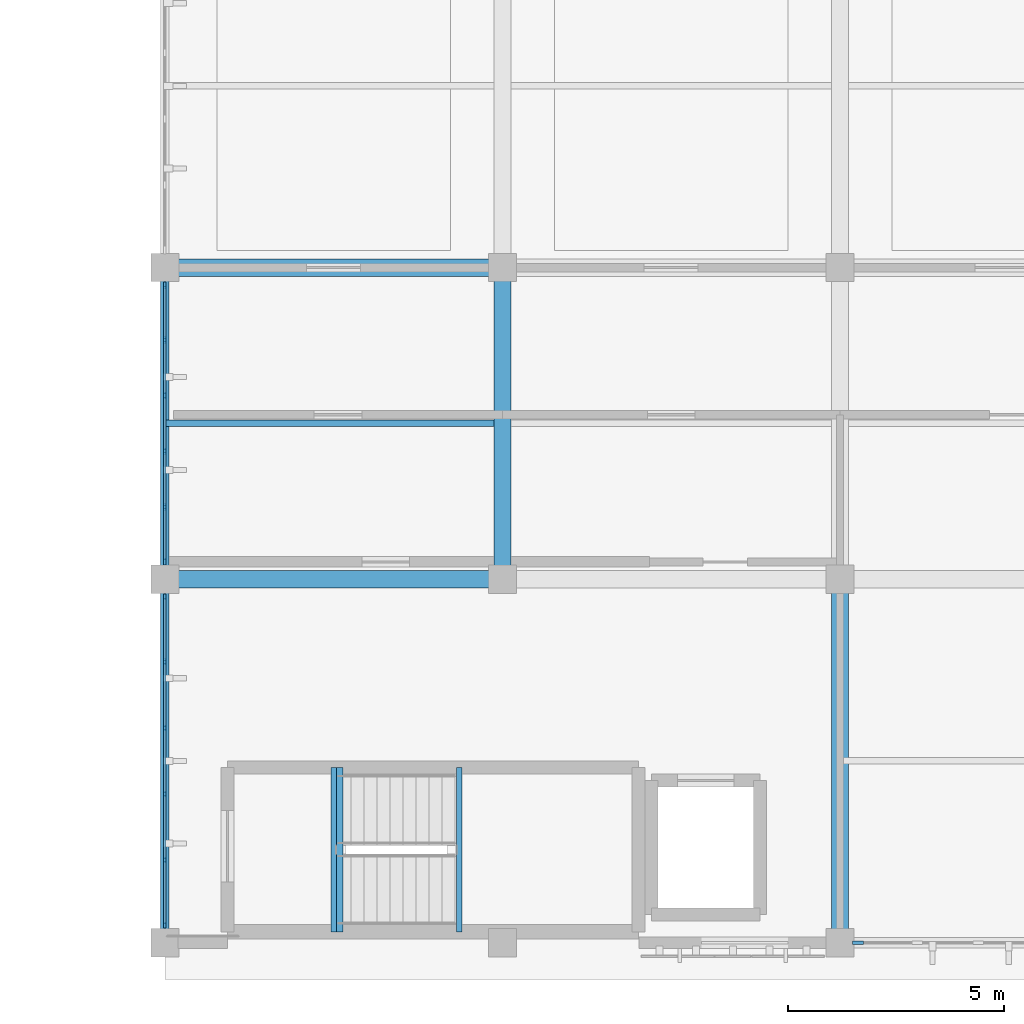
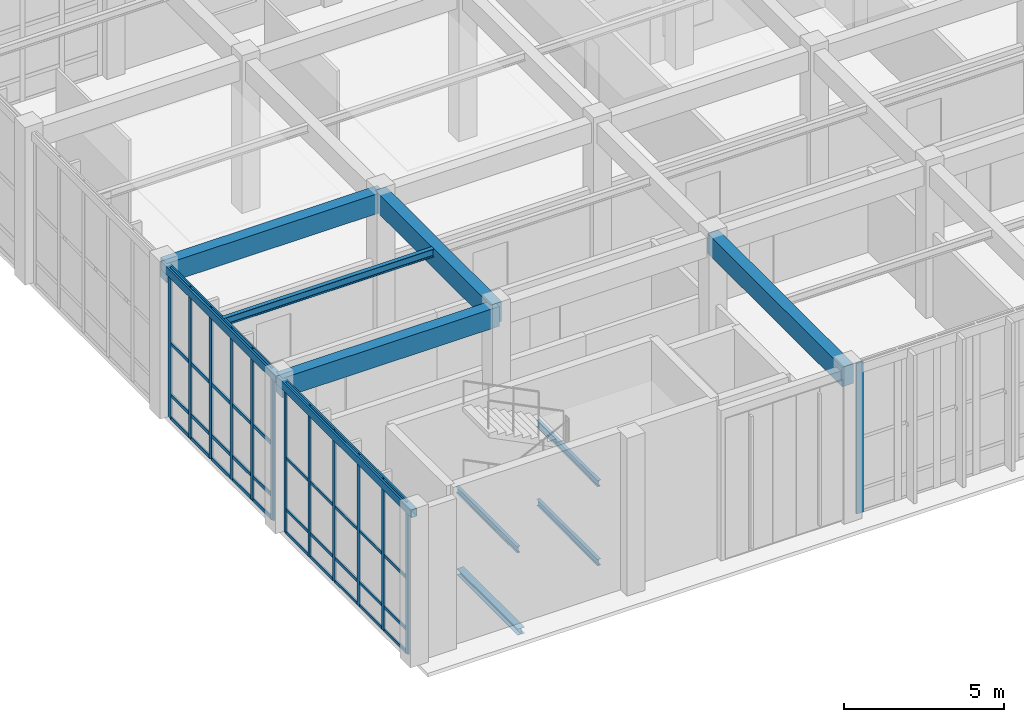
# One storey, part 10 of 105: 53 members, 11 beams, 3 elements without a shape of their own.
"""IFC4 building model written with IfcOpenShell, lengths in metres."""

from ifc_helpers import new_model, si_unit, direction, frame, origin, origin_2d, place, context, subcontext, project, spatial, rectangle, hollow_rectangle, i_section, extrude, material, material_profile, profile_set, type_object, element, aggregate, save


model = new_model("IFC4")

# Units and contexts
model_context = context("Model", 3, precision=1e-05, world=origin(), true_north=direction((0.0, 1.0)))
body_context = subcontext(model_context, "Body", "Model", "MODEL_VIEW")
ifc_project = project(units=[si_unit("LENGTHUNIT", "METRE"), si_unit("AREAUNIT", "SQUARE_METRE"), si_unit("VOLUMEUNIT", "CUBIC_METRE"), si_unit("PLANEANGLEUNIT", "RADIAN"), si_unit("MASSUNIT", "GRAM", prefix="KILO")], contexts=[model_context])

# Site, building, storey
site_placement = place(None, origin())
site = spatial("IfcSite", under=ifc_project, at=site_placement, CompositionType="ELEMENT")
building_placement = place(site_placement, origin())
building = spatial("IfcBuilding", under=site, at=building_placement, Name="Tizgana Railside Sports Hall", CompositionType="ELEMENT")
storey_placement = place(building_placement, frame((0.0, 0.0, 6.0)))
storey = spatial("IfcBuildingStorey", under=building, at=storey_placement, Name="L01", CompositionType="ELEMENT", Elevation=6.0)

# Beams
ifc_material_1 = material(Name="Concrete C35/45", Category="concrete")
ifc_material_profile_1 = material_profile(ifc_material_1, rectangle(XDim=0.39990234375, YDim=0.75, at=origin_2d()), Name="RCB 400x750")
ifc_profile_set_1 = profile_set([ifc_material_profile_1], Name="Concrete C35/45")
beam_type_1 = type_object("IfcBeamType", Name="Concrete Beam RCB 400x750", PredefinedType="BEAM", material=ifc_profile_set_1)
beam_1_placement = place(storey_placement, frame((15.60009765625, 8.39990234375, 5.361083984375), z_axis=(0.0, 1.0, 0.0), x_axis=(-1.0, 0.0, 0.0)))
element("IfcBeam", 1, at=beam_1_placement, inside=storey, type_object=beam_type_1, Name="L01 BEM-0469", PredefinedType="BEAM", context=body_context, shape_type="SweptSolid", body=[
    extrude(rectangle(XDim=0.39990234375, YDim=0.75, at=origin_2d()), origin(), (0.0, 0.0, 1.0), 7.2001953125),
])
beam_2_placement = place(storey_placement, frame((23.39990234375, 0.0, 5.361083984375), z_axis=(0.0, 1.0, 0.0), x_axis=(-1.0, 0.0, 0.0)))
element("IfcBeam", 2, at=beam_2_placement, inside=storey, type_object=beam_type_1, Name="L01 BEM-0472", PredefinedType="BEAM", context=body_context, shape_type="SweptSolid", body=[
    extrude(rectangle(XDim=0.39990234375, YDim=0.75, at=origin_2d()), origin(), (0.0, 0.0, 1.0), 8.39990234375),
])
for number, where, z_axis, x_axis, name in (
    (3, (7.800048828125, 8.39990234375, 5.361083984375), (1.0, 0.0, 0.0), (0.0, 1.0, 0.0), "L01 BEM-0510"),
    (4, (7.800048828125, 15.60009765625, 5.361083984375), (1.0, 0.0, 0.0), (0.0, 1.0, 0.0), "L01 BEM-0511"),
):
    element("IfcBeam", number, at=place(storey_placement, frame(where, z_axis=z_axis, x_axis=x_axis)), inside=storey, type_object=beam_type_1, Name=name, PredefinedType="BEAM", context=body_context, shape_type="SweptSolid", body=[
        extrude(rectangle(XDim=0.39990234375, YDim=0.75, at=origin_2d()), origin(), (0.0, 0.0, 1.0), 7.800048828125),
    ])

# Curtain wall, members
ifc_material_2 = material(Name="Anodised aluminium and glass", Category="aluminium")
curtain_wall_type_1 = type_object("IfcCurtainWallType", Name="Unitised Curtain Wall Concourse 1500", PredefinedType="NOTDEFINED", material=ifc_material_2)
curtain_wall_1_placement = place(storey_placement, origin())
curtain_wall_1 = element("IfcCurtainWall", 5, at=curtain_wall_1_placement, inside=storey, type_object=curtain_wall_type_1, Name="L01 Curtain Wall CW-0096", PredefinedType="NOTDEFINED")
ifc_material_3 = material(Name="Anodised aluminium", Category="aluminium")
ifc_material_profile_2 = material_profile(ifc_material_3, rectangle(XDim=0.06005859375, YDim=0.139892578125, at=origin_2d()), Name="Mullion 60x140")
ifc_profile_set_2 = profile_set([ifc_material_profile_2], Name="Anodised aluminium")
member_type_1 = type_object("IfcMemberType", Name="Mullion 60x140", PredefinedType="MULLION", material=ifc_profile_set_2)
member_1_placement = place(storey_placement, frame((7.800048828125, 7.989990234375, 0.0), z_axis=(0.0, 0.0, 1.0), x_axis=(1.0, 0.0, 0.0)))
member_1 = element("IfcMember", 6, at=member_1_placement, type_object=member_type_1, Name="CW-01 mullion 1", PredefinedType="MULLION", context=body_context, shape_type="SweptSolid", body=[
    extrude(rectangle(XDim=0.06005859375, YDim=0.139892578125, at=origin_2d()), origin(), (0.0, 0.0, 1.0), 5.719970703125),
])
member_2_placement = place(storey_placement, frame((7.800048828125, 6.491943359375, 0.0), z_axis=(0.0, 0.0, 1.0), x_axis=(1.0, 0.0, 0.0)))
member_2 = element("IfcMember", 7, at=member_2_placement, type_object=member_type_1, Name="CW-01 mullion 2", PredefinedType="MULLION", context=body_context, shape_type="SweptSolid", body=[
    extrude(rectangle(XDim=0.06005859375, YDim=0.139892578125, at=origin_2d()), origin(), (0.0, 0.0, 1.0), 5.719970703125),
])
member_3_placement = place(storey_placement, frame((7.800048828125, 4.964111328125, 0.0), z_axis=(0.0, 0.0, 1.0), x_axis=(1.0, 0.0, 0.0)))
member_3 = element("IfcMember", 8, at=member_3_placement, type_object=member_type_1, Name="CW-01 mullion 3", PredefinedType="MULLION", context=body_context, shape_type="SweptSolid", body=[
    extrude(rectangle(XDim=0.06005859375, YDim=0.139892578125, at=origin_2d()), origin(), (0.0, 0.0, 1.0), 5.719970703125),
])
member_4_placement = place(storey_placement, frame((7.800048828125, 3.43603515625, 0.0), z_axis=(0.0, 0.0, 1.0), x_axis=(1.0, 0.0, 0.0)))
member_4 = element("IfcMember", 9, at=member_4_placement, type_object=member_type_1, Name="CW-01 mullion 4", PredefinedType="MULLION", context=body_context, shape_type="SweptSolid", body=[
    extrude(rectangle(XDim=0.06005859375, YDim=0.139892578125, at=origin_2d()), origin(), (0.0, 0.0, 1.0), 5.719970703125),
])
member_5_placement = place(storey_placement, frame((7.800048828125, 1.907958984375, 0.0), z_axis=(0.0, 0.0, 1.0), x_axis=(1.0, 0.0, 0.0)))
member_5 = element("IfcMember", 10, at=member_5_placement, type_object=member_type_1, Name="CW-01 mullion 5", PredefinedType="MULLION", context=body_context, shape_type="SweptSolid", body=[
    extrude(rectangle(XDim=0.06005859375, YDim=0.139892578125, at=origin_2d()), origin(), (0.0, 0.0, 1.0), 5.719970703125),
])
member_6_placement = place(storey_placement, frame((7.800048828125, 0.409912109375, 0.0), z_axis=(0.0, 0.0, 1.0), x_axis=(1.0, 0.0, 0.0)))
member_6 = element("IfcMember", 11, at=member_6_placement, type_object=member_type_1, Name="CW-01 mullion 6", PredefinedType="MULLION", context=body_context, shape_type="SweptSolid", body=[
    extrude(rectangle(XDim=0.06005859375, YDim=0.139892578125, at=origin_2d()), origin(), (0.0, 0.0, 1.0), 5.719970703125),
])

curtain_wall_type_2 = type_object("IfcCurtainWallType", Name="Unitised Curtain Wall Foyer 1300", PredefinedType="NOTDEFINED", material=ifc_material_2)
curtain_wall_2_placement = place(storey_placement, origin())
curtain_wall_2 = element("IfcCurtainWall", 12, at=curtain_wall_2_placement, inside=storey, type_object=curtain_wall_type_2, Name="L01 Curtain Wall CW-0097", PredefinedType="NOTDEFINED")
ifc_material_profile_3 = material_profile(ifc_material_3, rectangle(XDim=0.06005859375, YDim=0.159912109375, at=origin_2d()), Name="Mullion 60x160")
ifc_profile_set_3 = profile_set([ifc_material_profile_3], Name="Anodised aluminium")
member_type_2 = type_object("IfcMemberType", Name="Mullion 60x160", PredefinedType="MULLION", material=ifc_profile_set_3)
member_7_placement = place(storey_placement, frame((7.800048828125, 15.18994140625, 0.0), z_axis=(0.0, 0.0, 1.0), x_axis=(1.0, 0.0, 0.0)))
member_7 = element("IfcMember", 13, at=member_7_placement, type_object=member_type_2, Name="CW-02 mullion 1", PredefinedType="MULLION", context=body_context, shape_type="SweptSolid", body=[
    extrude(rectangle(XDim=0.06005859375, YDim=0.159912109375, at=origin_2d()), origin(), (0.0, 0.0, 1.0), 5.719970703125),
])
member_8_placement = place(storey_placement, frame((7.800048828125, 13.931884765625, 0.0), z_axis=(0.0, 0.0, 1.0), x_axis=(1.0, 0.0, 0.0)))
member_8 = element("IfcMember", 14, at=member_8_placement, type_object=member_type_2, Name="CW-02 mullion 2", PredefinedType="MULLION", context=body_context, shape_type="SweptSolid", body=[
    extrude(rectangle(XDim=0.06005859375, YDim=0.159912109375, at=origin_2d()), origin(), (0.0, 0.0, 1.0), 5.719970703125),
])
member_9_placement = place(storey_placement, frame((7.800048828125, 12.64404296875, 0.0), z_axis=(0.0, 0.0, 1.0), x_axis=(1.0, 0.0, 0.0)))
member_9 = element("IfcMember", 15, at=member_9_placement, type_object=member_type_2, Name="CW-02 mullion 3", PredefinedType="MULLION", context=body_context, shape_type="SweptSolid", body=[
    extrude(rectangle(XDim=0.06005859375, YDim=0.159912109375, at=origin_2d()), origin(), (0.0, 0.0, 1.0), 5.719970703125),
])
member_10_placement = place(storey_placement, frame((7.800048828125, 11.35595703125, 0.0), z_axis=(0.0, 0.0, 1.0), x_axis=(1.0, 0.0, 0.0)))
member_10 = element("IfcMember", 16, at=member_10_placement, type_object=member_type_2, Name="CW-02 mullion 4", PredefinedType="MULLION", context=body_context, shape_type="SweptSolid", body=[
    extrude(rectangle(XDim=0.06005859375, YDim=0.159912109375, at=origin_2d()), origin(), (0.0, 0.0, 1.0), 5.719970703125),
])
member_11_placement = place(storey_placement, frame((7.800048828125, 10.068115234375, 0.0), z_axis=(0.0, 0.0, 1.0), x_axis=(1.0, 0.0, 0.0)))
member_11 = element("IfcMember", 17, at=member_11_placement, type_object=member_type_2, Name="CW-02 mullion 5", PredefinedType="MULLION", context=body_context, shape_type="SweptSolid", body=[
    extrude(rectangle(XDim=0.06005859375, YDim=0.159912109375, at=origin_2d()), origin(), (0.0, 0.0, 1.0), 5.719970703125),
])
member_12_placement = place(storey_placement, frame((7.800048828125, 8.81005859375, 0.0), z_axis=(0.0, 0.0, 1.0), x_axis=(1.0, 0.0, 0.0)))
member_12 = element("IfcMember", 18, at=member_12_placement, type_object=member_type_2, Name="CW-02 mullion 6", PredefinedType="MULLION", context=body_context, shape_type="SweptSolid", body=[
    extrude(rectangle(XDim=0.06005859375, YDim=0.159912109375, at=origin_2d()), origin(), (0.0, 0.0, 1.0), 5.719970703125),
])

# Curtain wall, member
curtain_wall_3_placement = place(storey_placement, origin())
curtain_wall_3 = element("IfcCurtainWall", 19, at=curtain_wall_3_placement, inside=storey, type_object=curtain_wall_type_2, Name="L01 Curtain Wall CW-0089", PredefinedType="NOTDEFINED")
ifc_material_profile_4 = material_profile(ifc_material_3, rectangle(XDim=0.074951171875, YDim=0.25, at=origin_2d()), Name="Mullion 75x250")
ifc_profile_set_4 = profile_set([ifc_material_profile_4], Name="Anodised aluminium")
member_type_3 = type_object("IfcMemberType", Name="Mullion 75x250", PredefinedType="MULLION", material=ifc_profile_set_4)
member_13_placement = place(storey_placement, frame((23.8173828125, 0.0, 0.0), z_axis=(0.0, 0.0, 1.0), x_axis=(0.0, -1.0, 0.0)))
member_13 = element("IfcMember", 20, at=member_13_placement, type_object=member_type_3, Name="CW-02 mullion 6", PredefinedType="MULLION", context=body_context, shape_type="SweptSolid", body=[
    extrude(rectangle(XDim=0.074951171875, YDim=0.25, at=origin_2d()), origin(), (0.0, 0.0, 1.0), 5.719970703125),
])
aggregate(curtain_wall_3, [member_13])

# Beams
ifc_material_4 = material(Name="Steel S355J2", Category="steel")
ifc_material_profile_5 = material_profile(ifc_material_4, i_section(OverallWidth=0.1201171875, OverallDepth=0.239990234375, WebThickness=0.006103515625, FlangeThickness=0.009765625, FilletRadius=0.014892578125, at=origin_2d()), Name="IPE 240")
ifc_profile_set_5 = profile_set([ifc_material_profile_5], Name="Steel S355J2")
beam_type_2 = type_object("IfcBeamType", Name="Stair Mid-Landing Header IPE 240", PredefinedType="JOIST", material=ifc_profile_set_5)
for number, where, z_axis, x_axis, name in (
    (21, (14.60009765625, 0.25, 1.177978515625), (0.0, 1.0, 0.0), (-1.0, 0.0, 0.0), "L01 C1 Mid Header 1"),
    (22, (11.699951171875, 0.25, 2.677978515625), (0.0, 1.0, 0.0), (-1.0, 0.0, 0.0), "L01 C1 Mid Header 2"),
    (23, (14.60009765625, 0.25, 4.177978515625), (0.0, 1.0, 0.0), (-1.0, 0.0, 0.0), "L01 C1 Mid Header 3"),
):
    element("IfcBeam", number, at=place(storey_placement, frame(where, z_axis=z_axis, x_axis=x_axis)), inside=storey, type_object=beam_type_2, Name=name, PredefinedType="JOIST", context=body_context, shape_type="SweptSolid", body=[
        extrude(i_section(OverallWidth=0.1201171875, OverallDepth=0.239990234375, WebThickness=0.006103515625, FlangeThickness=0.009765625, FilletRadius=0.014892578125, at=origin_2d()), origin(), (0.0, 0.0, 1.0), 3.800048828125),
    ])
ifc_material_profile_6 = material_profile(ifc_material_4, i_section(OverallWidth=0.239990234375, OverallDepth=0.239990234375, WebThickness=0.010009765625, FlangeThickness=0.01708984375, FilletRadius=0.02099609375, at=origin_2d()), Name="HEB 240")
ifc_profile_set_6 = profile_set([ifc_material_profile_6], Name="Steel S355J2")
beam_type_3 = type_object("IfcBeamType", Name="Steel Beam HEB 240", PredefinedType="BEAM", material=ifc_profile_set_6)
beam_3_placement = place(storey_placement, frame((11.800048828125, 0.25, -0.4619140625), z_axis=(0.0, 1.0, 0.0), x_axis=(-1.0, 0.0, 0.0)))
element("IfcBeam", 24, at=beam_3_placement, inside=storey, type_object=beam_type_3, Name="L01 C1 Landing Header", PredefinedType="BEAM", context=body_context, shape_type="SweptSolid", body=[
    extrude(i_section(OverallWidth=0.239990234375, OverallDepth=0.239990234375, WebThickness=0.010009765625, FlangeThickness=0.01708984375, FilletRadius=0.02099609375, at=origin_2d()), origin(), (0.0, 0.0, 1.0), 3.800048828125),
])
ifc_material_profile_7 = material_profile(ifc_material_4, i_section(OverallWidth=0.14990234375, OverallDepth=0.300048828125, WebThickness=0.007080078125, FlangeThickness=0.0107421875, FilletRadius=0.014892578125, at=origin_2d()), Name="IPE 300")
ifc_profile_set_7 = profile_set([ifc_material_profile_7], Name="Steel S355J2")
beam_type_4 = type_object("IfcBeamType", Name="Steel Joist IPE 300", PredefinedType="JOIST", material=ifc_profile_set_7)
beam_4_placement = place(storey_placement, frame((7.800048828125, 12.0, 5.5859375), z_axis=(1.0, 0.0, 0.0), x_axis=(0.0, 1.0, 0.0)))
element("IfcBeam", 25, at=beam_4_placement, inside=storey, type_object=beam_type_4, Name="L01 BEM-0514", PredefinedType="JOIST", context=body_context, shape_type="SweptSolid", body=[
    extrude(i_section(OverallWidth=0.14990234375, OverallDepth=0.300048828125, WebThickness=0.007080078125, FlangeThickness=0.0107421875, FilletRadius=0.014892578125, at=origin_2d()), origin(), (0.0, 0.0, 1.0), 7.60498046875),
])
ifc_material_profile_8 = material_profile(ifc_material_4, hollow_rectangle(XDim=0.199951171875, YDim=0.300048828125, WallThickness=0.010009765625, at=origin_2d()), Name="RHS 300x200x10")
ifc_profile_set_8 = profile_set([ifc_material_profile_8], Name="Steel S355J2")
beam_type_5 = type_object("IfcBeamType", Name="Steel Spandrel RHS 300x200x10", PredefinedType="SPANDREL", material=ifc_profile_set_8)
beam_5_placement = place(storey_placement, frame((7.800048828125, 0.0, 5.5859375), z_axis=(0.0, 1.0, 0.0), x_axis=(-1.0, 0.0, 0.0)))
element("IfcBeam", 26, at=beam_5_placement, inside=storey, type_object=beam_type_5, Name="L01 BEM-0465", PredefinedType="SPANDREL", context=body_context, shape_type="SweptSolid", body=[
    extrude(hollow_rectangle(XDim=0.199951171875, YDim=0.300048828125, WallThickness=0.010009765625, at=origin_2d()), origin(), (0.0, 0.0, 1.0), 8.39990234375),
])
beam_6_placement = place(storey_placement, frame((7.800048828125, 8.39990234375, 5.5859375), z_axis=(0.0, 1.0, 0.0), x_axis=(-1.0, 0.0, 0.0)))
element("IfcBeam", 27, at=beam_6_placement, inside=storey, type_object=beam_type_5, Name="L01 BEM-0466", PredefinedType="SPANDREL", context=body_context, shape_type="SweptSolid", body=[
    extrude(hollow_rectangle(XDim=0.199951171875, YDim=0.300048828125, WallThickness=0.010009765625, at=origin_2d()), origin(), (0.0, 0.0, 1.0), 7.2001953125),
])

# Member
ifc_material_profile_9 = material_profile(ifc_material_3, rectangle(XDim=0.06005859375, YDim=0.110107421875, at=origin_2d()), Name="Transom 60x110")
ifc_profile_set_9 = profile_set([ifc_material_profile_9], Name="Anodised aluminium")
member_type_4 = type_object("IfcMemberType", Name="Transom 60x110", PredefinedType="USERDEFINED", material=ifc_profile_set_9)
member_14_placement = place(storey_placement, frame((7.800048828125, 7.9599609375, 0.030029296875), z_axis=(0.0, -1.0, 0.0), x_axis=(1.0, 0.0, 0.0)))
member_14 = element("IfcMember", 28, at=member_14_placement, type_object=member_type_4, Name="CW-01 transom 1.1", ObjectType="TRANSOM", PredefinedType="USERDEFINED", context=body_context, shape_type="SweptSolid", body=[
    extrude(rectangle(XDim=0.06005859375, YDim=0.110107421875, at=origin_2d()), origin(), (0.0, 0.0, 1.0), 1.43798828125),
])

member_15_placement = place(storey_placement, frame((7.800048828125, 7.9599609375, 0.89990234375), z_axis=(0.0, -1.0, 0.0), x_axis=(1.0, 0.0, 0.0)))
member_15 = element("IfcMember", 29, at=member_15_placement, type_object=member_type_4, Name="CW-01 transom 1.2", ObjectType="TRANSOM", PredefinedType="USERDEFINED", context=body_context, shape_type="SweptSolid", body=[
    extrude(rectangle(XDim=0.06005859375, YDim=0.110107421875, at=origin_2d()), origin(), (0.0, 0.0, 1.0), 1.43798828125),
])

member_16_placement = place(storey_placement, frame((7.800048828125, 7.9599609375, 2.860107421875), z_axis=(0.0, -1.0, 0.0), x_axis=(1.0, 0.0, 0.0)))
member_16 = element("IfcMember", 30, at=member_16_placement, type_object=member_type_4, Name="CW-01 transom 1.3", ObjectType="TRANSOM", PredefinedType="USERDEFINED", context=body_context, shape_type="SweptSolid", body=[
    extrude(rectangle(XDim=0.06005859375, YDim=0.110107421875, at=origin_2d()), origin(), (0.0, 0.0, 1.0), 1.43798828125),
])

member_17_placement = place(storey_placement, frame((7.800048828125, 7.9599609375, 5.68994140625), z_axis=(0.0, -1.0, 0.0), x_axis=(1.0, 0.0, 0.0)))
member_17 = element("IfcMember", 31, at=member_17_placement, type_object=member_type_4, Name="CW-01 transom 1.4", ObjectType="TRANSOM", PredefinedType="USERDEFINED", context=body_context, shape_type="SweptSolid", body=[
    extrude(rectangle(XDim=0.06005859375, YDim=0.110107421875, at=origin_2d()), origin(), (0.0, 0.0, 1.0), 1.43798828125),
])

member_18_placement = place(storey_placement, frame((7.800048828125, 6.4619140625, 0.030029296875), z_axis=(0.0, -1.0, 0.0), x_axis=(1.0, 0.0, 0.0)))
member_18 = element("IfcMember", 32, at=member_18_placement, type_object=member_type_4, Name="CW-01 transom 2.1", ObjectType="TRANSOM", PredefinedType="USERDEFINED", context=body_context, shape_type="SweptSolid", body=[
    extrude(rectangle(XDim=0.06005859375, YDim=0.110107421875, at=origin_2d()), origin(), (0.0, 0.0, 1.0), 1.468017578125),
])

member_19_placement = place(storey_placement, frame((7.800048828125, 6.4619140625, 0.89990234375), z_axis=(0.0, -1.0, 0.0), x_axis=(1.0, 0.0, 0.0)))
member_19 = element("IfcMember", 33, at=member_19_placement, type_object=member_type_4, Name="CW-01 transom 2.2", ObjectType="TRANSOM", PredefinedType="USERDEFINED", context=body_context, shape_type="SweptSolid", body=[
    extrude(rectangle(XDim=0.06005859375, YDim=0.110107421875, at=origin_2d()), origin(), (0.0, 0.0, 1.0), 1.468017578125),
])

member_20_placement = place(storey_placement, frame((7.800048828125, 6.4619140625, 2.860107421875), z_axis=(0.0, -1.0, 0.0), x_axis=(1.0, 0.0, 0.0)))
member_20 = element("IfcMember", 34, at=member_20_placement, type_object=member_type_4, Name="CW-01 transom 2.3", ObjectType="TRANSOM", PredefinedType="USERDEFINED", context=body_context, shape_type="SweptSolid", body=[
    extrude(rectangle(XDim=0.06005859375, YDim=0.110107421875, at=origin_2d()), origin(), (0.0, 0.0, 1.0), 1.468017578125),
])

member_21_placement = place(storey_placement, frame((7.800048828125, 6.4619140625, 5.68994140625), z_axis=(0.0, -1.0, 0.0), x_axis=(1.0, 0.0, 0.0)))
member_21 = element("IfcMember", 35, at=member_21_placement, type_object=member_type_4, Name="CW-01 transom 2.4", ObjectType="TRANSOM", PredefinedType="USERDEFINED", context=body_context, shape_type="SweptSolid", body=[
    extrude(rectangle(XDim=0.06005859375, YDim=0.110107421875, at=origin_2d()), origin(), (0.0, 0.0, 1.0), 1.468017578125),
])

member_22_placement = place(storey_placement, frame((7.800048828125, 4.93408203125, 0.030029296875), z_axis=(0.0, -1.0, 0.0), x_axis=(1.0, 0.0, 0.0)))
member_22 = element("IfcMember", 36, at=member_22_placement, type_object=member_type_4, Name="CW-01 transom 3.1", ObjectType="TRANSOM", PredefinedType="USERDEFINED", context=body_context, shape_type="SweptSolid", body=[
    extrude(rectangle(XDim=0.06005859375, YDim=0.110107421875, at=origin_2d()), origin(), (0.0, 0.0, 1.0), 1.468017578125),
])

member_23_placement = place(storey_placement, frame((7.800048828125, 4.93408203125, 0.89990234375), z_axis=(0.0, -1.0, 0.0), x_axis=(1.0, 0.0, 0.0)))
member_23 = element("IfcMember", 37, at=member_23_placement, type_object=member_type_4, Name="CW-01 transom 3.2", ObjectType="TRANSOM", PredefinedType="USERDEFINED", context=body_context, shape_type="SweptSolid", body=[
    extrude(rectangle(XDim=0.06005859375, YDim=0.110107421875, at=origin_2d()), origin(), (0.0, 0.0, 1.0), 1.468017578125),
])

member_24_placement = place(storey_placement, frame((7.800048828125, 4.93408203125, 2.860107421875), z_axis=(0.0, -1.0, 0.0), x_axis=(1.0, 0.0, 0.0)))
member_24 = element("IfcMember", 38, at=member_24_placement, type_object=member_type_4, Name="CW-01 transom 3.3", ObjectType="TRANSOM", PredefinedType="USERDEFINED", context=body_context, shape_type="SweptSolid", body=[
    extrude(rectangle(XDim=0.06005859375, YDim=0.110107421875, at=origin_2d()), origin(), (0.0, 0.0, 1.0), 1.468017578125),
])

member_25_placement = place(storey_placement, frame((7.800048828125, 4.93408203125, 5.68994140625), z_axis=(0.0, -1.0, 0.0), x_axis=(1.0, 0.0, 0.0)))
member_25 = element("IfcMember", 39, at=member_25_placement, type_object=member_type_4, Name="CW-01 transom 3.4", ObjectType="TRANSOM", PredefinedType="USERDEFINED", context=body_context, shape_type="SweptSolid", body=[
    extrude(rectangle(XDim=0.06005859375, YDim=0.110107421875, at=origin_2d()), origin(), (0.0, 0.0, 1.0), 1.468017578125),
])

member_26_placement = place(storey_placement, frame((7.800048828125, 3.406005859375, 0.030029296875), z_axis=(0.0, -1.0, 0.0), x_axis=(1.0, 0.0, 0.0)))
member_26 = element("IfcMember", 40, at=member_26_placement, type_object=member_type_4, Name="CW-01 transom 4.1", ObjectType="TRANSOM", PredefinedType="USERDEFINED", context=body_context, shape_type="SweptSolid", body=[
    extrude(rectangle(XDim=0.06005859375, YDim=0.110107421875, at=origin_2d()), origin(), (0.0, 0.0, 1.0), 1.468017578125),
])

member_27_placement = place(storey_placement, frame((7.800048828125, 3.406005859375, 0.89990234375), z_axis=(0.0, -1.0, 0.0), x_axis=(1.0, 0.0, 0.0)))
member_27 = element("IfcMember", 41, at=member_27_placement, type_object=member_type_4, Name="CW-01 transom 4.2", ObjectType="TRANSOM", PredefinedType="USERDEFINED", context=body_context, shape_type="SweptSolid", body=[
    extrude(rectangle(XDim=0.06005859375, YDim=0.110107421875, at=origin_2d()), origin(), (0.0, 0.0, 1.0), 1.468017578125),
])

member_28_placement = place(storey_placement, frame((7.800048828125, 3.406005859375, 2.860107421875), z_axis=(0.0, -1.0, 0.0), x_axis=(1.0, 0.0, 0.0)))
member_28 = element("IfcMember", 42, at=member_28_placement, type_object=member_type_4, Name="CW-01 transom 4.3", ObjectType="TRANSOM", PredefinedType="USERDEFINED", context=body_context, shape_type="SweptSolid", body=[
    extrude(rectangle(XDim=0.06005859375, YDim=0.110107421875, at=origin_2d()), origin(), (0.0, 0.0, 1.0), 1.468017578125),
])

member_29_placement = place(storey_placement, frame((7.800048828125, 3.406005859375, 5.68994140625), z_axis=(0.0, -1.0, 0.0), x_axis=(1.0, 0.0, 0.0)))
member_29 = element("IfcMember", 43, at=member_29_placement, type_object=member_type_4, Name="CW-01 transom 4.4", ObjectType="TRANSOM", PredefinedType="USERDEFINED", context=body_context, shape_type="SweptSolid", body=[
    extrude(rectangle(XDim=0.06005859375, YDim=0.110107421875, at=origin_2d()), origin(), (0.0, 0.0, 1.0), 1.468017578125),
])

member_30_placement = place(storey_placement, frame((7.800048828125, 1.8779296875, 0.030029296875), z_axis=(0.0, -1.0, 0.0), x_axis=(1.0, 0.0, 0.0)))
member_30 = element("IfcMember", 44, at=member_30_placement, type_object=member_type_4, Name="CW-01 transom 5.1", ObjectType="TRANSOM", PredefinedType="USERDEFINED", context=body_context, shape_type="SweptSolid", body=[
    extrude(rectangle(XDim=0.06005859375, YDim=0.110107421875, at=origin_2d()), origin(), (0.0, 0.0, 1.0), 1.43798828125),
])

member_31_placement = place(storey_placement, frame((7.800048828125, 1.8779296875, 0.89990234375), z_axis=(0.0, -1.0, 0.0), x_axis=(1.0, 0.0, 0.0)))
member_31 = element("IfcMember", 45, at=member_31_placement, type_object=member_type_4, Name="CW-01 transom 5.2", ObjectType="TRANSOM", PredefinedType="USERDEFINED", context=body_context, shape_type="SweptSolid", body=[
    extrude(rectangle(XDim=0.06005859375, YDim=0.110107421875, at=origin_2d()), origin(), (0.0, 0.0, 1.0), 1.43798828125),
])

member_32_placement = place(storey_placement, frame((7.800048828125, 1.8779296875, 2.860107421875), z_axis=(0.0, -1.0, 0.0), x_axis=(1.0, 0.0, 0.0)))
member_32 = element("IfcMember", 46, at=member_32_placement, type_object=member_type_4, Name="CW-01 transom 5.3", ObjectType="TRANSOM", PredefinedType="USERDEFINED", context=body_context, shape_type="SweptSolid", body=[
    extrude(rectangle(XDim=0.06005859375, YDim=0.110107421875, at=origin_2d()), origin(), (0.0, 0.0, 1.0), 1.43798828125),
])

member_33_placement = place(storey_placement, frame((7.800048828125, 1.8779296875, 5.68994140625), z_axis=(0.0, -1.0, 0.0), x_axis=(1.0, 0.0, 0.0)))
member_33 = element("IfcMember", 47, at=member_33_placement, type_object=member_type_4, Name="CW-01 transom 5.4", ObjectType="TRANSOM", PredefinedType="USERDEFINED", context=body_context, shape_type="SweptSolid", body=[
    extrude(rectangle(XDim=0.06005859375, YDim=0.110107421875, at=origin_2d()), origin(), (0.0, 0.0, 1.0), 1.43798828125),
])

aggregate(curtain_wall_1, [member_1, member_2, member_3, member_4, member_5, member_6, member_14, member_15, member_16, member_17, member_18, member_19, member_20, member_21, member_22, member_23, member_24, member_25, member_26, member_27, member_28, member_29, member_30, member_31, member_32, member_33])

ifc_material_profile_10 = material_profile(ifc_material_3, rectangle(XDim=0.06005859375, YDim=0.1298828125, at=origin_2d()), Name="Transom 60x130")
ifc_profile_set_10 = profile_set([ifc_material_profile_10], Name="Anodised aluminium")
member_type_5 = type_object("IfcMemberType", Name="Transom 60x130", PredefinedType="USERDEFINED", material=ifc_profile_set_10)
member_34_placement = place(storey_placement, frame((7.800048828125, 15.159912109375, 0.030029296875), z_axis=(0.0, -1.0, 0.0), x_axis=(1.0, 0.0, 0.0)))
member_34 = element("IfcMember", 48, at=member_34_placement, type_object=member_type_5, Name="CW-02 transom 1.1", ObjectType="TRANSOM", PredefinedType="USERDEFINED", context=body_context, shape_type="SweptSolid", body=[
    extrude(rectangle(XDim=0.06005859375, YDim=0.1298828125, at=origin_2d()), origin(), (0.0, 0.0, 1.0), 1.197998046875),
])

member_35_placement = place(storey_placement, frame((7.800048828125, 15.159912109375, 0.89990234375), z_axis=(0.0, -1.0, 0.0), x_axis=(1.0, 0.0, 0.0)))
member_35 = element("IfcMember", 49, at=member_35_placement, type_object=member_type_5, Name="CW-02 transom 1.2", ObjectType="TRANSOM", PredefinedType="USERDEFINED", context=body_context, shape_type="SweptSolid", body=[
    extrude(rectangle(XDim=0.06005859375, YDim=0.1298828125, at=origin_2d()), origin(), (0.0, 0.0, 1.0), 1.197998046875),
])

member_36_placement = place(storey_placement, frame((7.800048828125, 15.159912109375, 2.860107421875), z_axis=(0.0, -1.0, 0.0), x_axis=(1.0, 0.0, 0.0)))
member_36 = element("IfcMember", 50, at=member_36_placement, type_object=member_type_5, Name="CW-02 transom 1.3", ObjectType="TRANSOM", PredefinedType="USERDEFINED", context=body_context, shape_type="SweptSolid", body=[
    extrude(rectangle(XDim=0.06005859375, YDim=0.1298828125, at=origin_2d()), origin(), (0.0, 0.0, 1.0), 1.197998046875),
])

member_37_placement = place(storey_placement, frame((7.800048828125, 15.159912109375, 5.68994140625), z_axis=(0.0, -1.0, 0.0), x_axis=(1.0, 0.0, 0.0)))
member_37 = element("IfcMember", 51, at=member_37_placement, type_object=member_type_5, Name="CW-02 transom 1.4", ObjectType="TRANSOM", PredefinedType="USERDEFINED", context=body_context, shape_type="SweptSolid", body=[
    extrude(rectangle(XDim=0.06005859375, YDim=0.1298828125, at=origin_2d()), origin(), (0.0, 0.0, 1.0), 1.197998046875),
])

member_38_placement = place(storey_placement, frame((7.800048828125, 13.902099609375, 0.030029296875), z_axis=(0.0, -1.0, 0.0), x_axis=(1.0, 0.0, 0.0)))
member_38 = element("IfcMember", 52, at=member_38_placement, type_object=member_type_5, Name="CW-02 transom 2.1", ObjectType="TRANSOM", PredefinedType="USERDEFINED", context=body_context, shape_type="SweptSolid", body=[
    extrude(rectangle(XDim=0.06005859375, YDim=0.1298828125, at=origin_2d()), origin(), (0.0, 0.0, 1.0), 1.22802734375),
])

member_39_placement = place(storey_placement, frame((7.800048828125, 13.902099609375, 0.89990234375), z_axis=(0.0, -1.0, 0.0), x_axis=(1.0, 0.0, 0.0)))
member_39 = element("IfcMember", 53, at=member_39_placement, type_object=member_type_5, Name="CW-02 transom 2.2", ObjectType="TRANSOM", PredefinedType="USERDEFINED", context=body_context, shape_type="SweptSolid", body=[
    extrude(rectangle(XDim=0.06005859375, YDim=0.1298828125, at=origin_2d()), origin(), (0.0, 0.0, 1.0), 1.22802734375),
])

member_40_placement = place(storey_placement, frame((7.800048828125, 13.902099609375, 2.860107421875), z_axis=(0.0, -1.0, 0.0), x_axis=(1.0, 0.0, 0.0)))
member_40 = element("IfcMember", 54, at=member_40_placement, type_object=member_type_5, Name="CW-02 transom 2.3", ObjectType="TRANSOM", PredefinedType="USERDEFINED", context=body_context, shape_type="SweptSolid", body=[
    extrude(rectangle(XDim=0.06005859375, YDim=0.1298828125, at=origin_2d()), origin(), (0.0, 0.0, 1.0), 1.22802734375),
])

member_41_placement = place(storey_placement, frame((7.800048828125, 13.902099609375, 5.68994140625), z_axis=(0.0, -1.0, 0.0), x_axis=(1.0, 0.0, 0.0)))
member_41 = element("IfcMember", 55, at=member_41_placement, type_object=member_type_5, Name="CW-02 transom 2.4", ObjectType="TRANSOM", PredefinedType="USERDEFINED", context=body_context, shape_type="SweptSolid", body=[
    extrude(rectangle(XDim=0.06005859375, YDim=0.1298828125, at=origin_2d()), origin(), (0.0, 0.0, 1.0), 1.22802734375),
])

member_42_placement = place(storey_placement, frame((7.800048828125, 12.614013671875, 0.030029296875), z_axis=(0.0, -1.0, 0.0), x_axis=(1.0, 0.0, 0.0)))
member_42 = element("IfcMember", 56, at=member_42_placement, type_object=member_type_5, Name="CW-02 transom 3.1", ObjectType="TRANSOM", PredefinedType="USERDEFINED", context=body_context, shape_type="SweptSolid", body=[
    extrude(rectangle(XDim=0.06005859375, YDim=0.1298828125, at=origin_2d()), origin(), (0.0, 0.0, 1.0), 1.22802734375),
])

member_43_placement = place(storey_placement, frame((7.800048828125, 12.614013671875, 0.89990234375), z_axis=(0.0, -1.0, 0.0), x_axis=(1.0, 0.0, 0.0)))
member_43 = element("IfcMember", 57, at=member_43_placement, type_object=member_type_5, Name="CW-02 transom 3.2", ObjectType="TRANSOM", PredefinedType="USERDEFINED", context=body_context, shape_type="SweptSolid", body=[
    extrude(rectangle(XDim=0.06005859375, YDim=0.1298828125, at=origin_2d()), origin(), (0.0, 0.0, 1.0), 1.22802734375),
])

member_44_placement = place(storey_placement, frame((7.800048828125, 12.614013671875, 2.860107421875), z_axis=(0.0, -1.0, 0.0), x_axis=(1.0, 0.0, 0.0)))
member_44 = element("IfcMember", 58, at=member_44_placement, type_object=member_type_5, Name="CW-02 transom 3.3", ObjectType="TRANSOM", PredefinedType="USERDEFINED", context=body_context, shape_type="SweptSolid", body=[
    extrude(rectangle(XDim=0.06005859375, YDim=0.1298828125, at=origin_2d()), origin(), (0.0, 0.0, 1.0), 1.22802734375),
])

member_45_placement = place(storey_placement, frame((7.800048828125, 12.614013671875, 5.68994140625), z_axis=(0.0, -1.0, 0.0), x_axis=(1.0, 0.0, 0.0)))
member_45 = element("IfcMember", 59, at=member_45_placement, type_object=member_type_5, Name="CW-02 transom 3.4", ObjectType="TRANSOM", PredefinedType="USERDEFINED", context=body_context, shape_type="SweptSolid", body=[
    extrude(rectangle(XDim=0.06005859375, YDim=0.1298828125, at=origin_2d()), origin(), (0.0, 0.0, 1.0), 1.22802734375),
])

member_46_placement = place(storey_placement, frame((7.800048828125, 11.325927734375, 0.030029296875), z_axis=(0.0, -1.0, 0.0), x_axis=(1.0, 0.0, 0.0)))
member_46 = element("IfcMember", 60, at=member_46_placement, type_object=member_type_5, Name="CW-02 transom 4.1", ObjectType="TRANSOM", PredefinedType="USERDEFINED", context=body_context, shape_type="SweptSolid", body=[
    extrude(rectangle(XDim=0.06005859375, YDim=0.1298828125, at=origin_2d()), origin(), (0.0, 0.0, 1.0), 1.22802734375),
])

member_47_placement = place(storey_placement, frame((7.800048828125, 11.325927734375, 0.89990234375), z_axis=(0.0, -1.0, 0.0), x_axis=(1.0, 0.0, 0.0)))
member_47 = element("IfcMember", 61, at=member_47_placement, type_object=member_type_5, Name="CW-02 transom 4.2", ObjectType="TRANSOM", PredefinedType="USERDEFINED", context=body_context, shape_type="SweptSolid", body=[
    extrude(rectangle(XDim=0.06005859375, YDim=0.1298828125, at=origin_2d()), origin(), (0.0, 0.0, 1.0), 1.22802734375),
])

member_48_placement = place(storey_placement, frame((7.800048828125, 11.325927734375, 2.860107421875), z_axis=(0.0, -1.0, 0.0), x_axis=(1.0, 0.0, 0.0)))
member_48 = element("IfcMember", 62, at=member_48_placement, type_object=member_type_5, Name="CW-02 transom 4.3", ObjectType="TRANSOM", PredefinedType="USERDEFINED", context=body_context, shape_type="SweptSolid", body=[
    extrude(rectangle(XDim=0.06005859375, YDim=0.1298828125, at=origin_2d()), origin(), (0.0, 0.0, 1.0), 1.22802734375),
])

member_49_placement = place(storey_placement, frame((7.800048828125, 11.325927734375, 5.68994140625), z_axis=(0.0, -1.0, 0.0), x_axis=(1.0, 0.0, 0.0)))
member_49 = element("IfcMember", 63, at=member_49_placement, type_object=member_type_5, Name="CW-02 transom 4.4", ObjectType="TRANSOM", PredefinedType="USERDEFINED", context=body_context, shape_type="SweptSolid", body=[
    extrude(rectangle(XDim=0.06005859375, YDim=0.1298828125, at=origin_2d()), origin(), (0.0, 0.0, 1.0), 1.22802734375),
])

member_50_placement = place(storey_placement, frame((7.800048828125, 10.0380859375, 0.030029296875), z_axis=(0.0, -1.0, 0.0), x_axis=(1.0, 0.0, 0.0)))
member_50 = element("IfcMember", 64, at=member_50_placement, type_object=member_type_5, Name="CW-02 transom 5.1", ObjectType="TRANSOM", PredefinedType="USERDEFINED", context=body_context, shape_type="SweptSolid", body=[
    extrude(rectangle(XDim=0.06005859375, YDim=0.1298828125, at=origin_2d()), origin(), (0.0, 0.0, 1.0), 1.197998046875),
])

member_51_placement = place(storey_placement, frame((7.800048828125, 10.0380859375, 0.89990234375), z_axis=(0.0, -1.0, 0.0), x_axis=(1.0, 0.0, 0.0)))
member_51 = element("IfcMember", 65, at=member_51_placement, type_object=member_type_5, Name="CW-02 transom 5.2", ObjectType="TRANSOM", PredefinedType="USERDEFINED", context=body_context, shape_type="SweptSolid", body=[
    extrude(rectangle(XDim=0.06005859375, YDim=0.1298828125, at=origin_2d()), origin(), (0.0, 0.0, 1.0), 1.197998046875),
])

member_52_placement = place(storey_placement, frame((7.800048828125, 10.0380859375, 2.860107421875), z_axis=(0.0, -1.0, 0.0), x_axis=(1.0, 0.0, 0.0)))
member_52 = element("IfcMember", 66, at=member_52_placement, type_object=member_type_5, Name="CW-02 transom 5.3", ObjectType="TRANSOM", PredefinedType="USERDEFINED", context=body_context, shape_type="SweptSolid", body=[
    extrude(rectangle(XDim=0.06005859375, YDim=0.1298828125, at=origin_2d()), origin(), (0.0, 0.0, 1.0), 1.197998046875),
])

member_53_placement = place(storey_placement, frame((7.800048828125, 10.0380859375, 5.68994140625), z_axis=(0.0, -1.0, 0.0), x_axis=(1.0, 0.0, 0.0)))
member_53 = element("IfcMember", 67, at=member_53_placement, type_object=member_type_5, Name="CW-02 transom 5.4", ObjectType="TRANSOM", PredefinedType="USERDEFINED", context=body_context, shape_type="SweptSolid", body=[
    extrude(rectangle(XDim=0.06005859375, YDim=0.1298828125, at=origin_2d()), origin(), (0.0, 0.0, 1.0), 1.197998046875),
])

aggregate(curtain_wall_2, [member_7, member_8, member_9, member_10, member_11, member_12, member_34, member_35, member_36, member_37, member_38, member_39, member_40, member_41, member_42, member_43, member_44, member_45, member_46, member_47, member_48, member_49, member_50, member_51, member_52, member_53])

save(model, "model.ifc")
